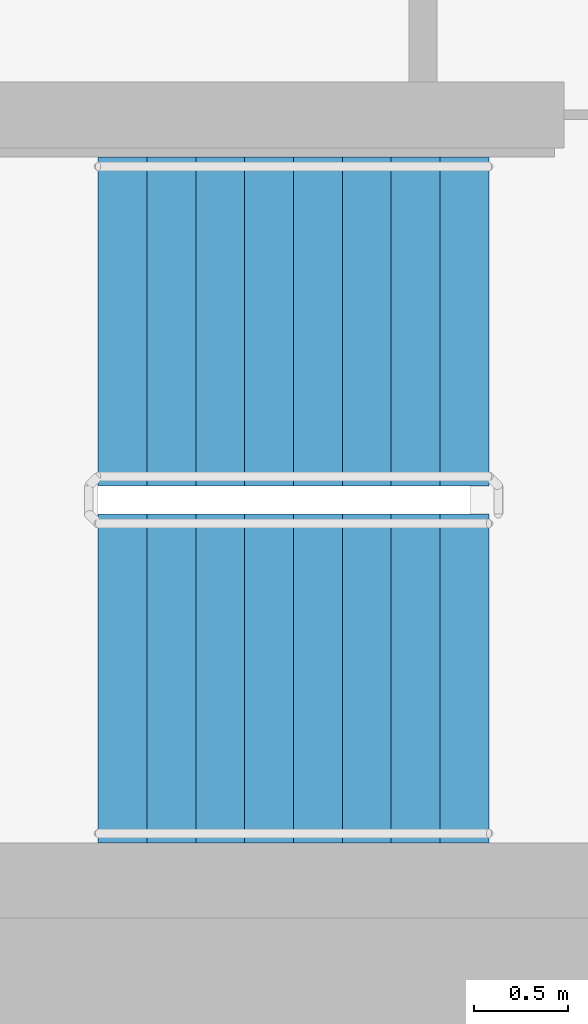
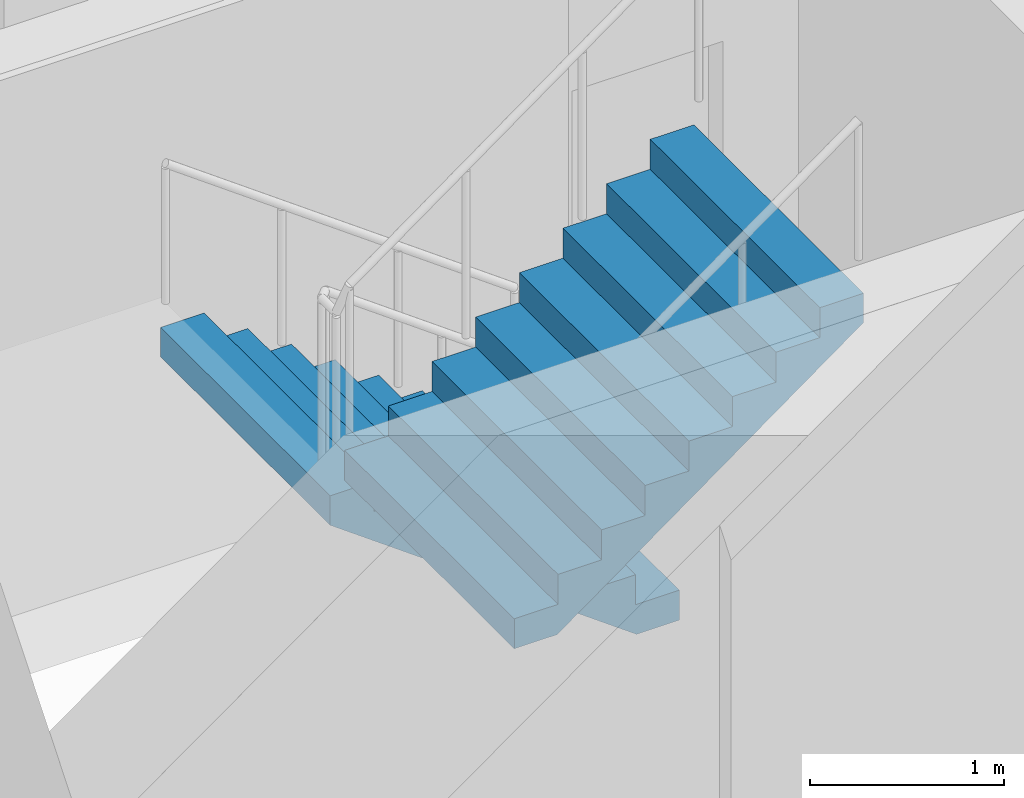
# One storey, part 12 of 18: 2 stair flights, 1 element without a shape of its own.
"""IFC4 building model written with IfcOpenShell, lengths in metres."""

from ifc_helpers import new_model, si_unit, direction, frame, origin, place, context, subcontext, project, spatial, faceted_brep, material, type_object, element, aggregate, save


model = new_model("IFC4")

# Units and contexts
model_context = context("Model", 3, precision=1e-05, world=origin(), true_north=direction((0.0, 1.0)))
body_context = subcontext(model_context, "Body", "Model", "MODEL_VIEW")
ifc_project = project(units=[si_unit("LENGTHUNIT", "METRE"), si_unit("AREAUNIT", "SQUARE_METRE"), si_unit("VOLUMEUNIT", "CUBIC_METRE"), si_unit("PLANEANGLEUNIT", "RADIAN"), si_unit("MASSUNIT", "GRAM", prefix="KILO")], contexts=[model_context])

# Site, building, storey
site_placement = place(None, origin())
site = spatial("IfcSite", under=ifc_project, at=site_placement, CompositionType="ELEMENT")
building_placement = place(site_placement, origin())
building = spatial("IfcBuilding", under=site, at=building_placement, Name="Ipe Terrace Towers", CompositionType="ELEMENT")
storey_placement = place(building_placement, frame((0.0, 0.0, 150.699951171875)))
storey = spatial("IfcBuildingStorey", under=building, at=storey_placement, Name="L41", CompositionType="ELEMENT", Elevation=150.699951171875)

# Stair, stair flights
ifc_material_1 = material(Name="Concrete C30/37", Category="concrete")
stair_type = type_object("IfcStairType", Name="Protected exit stair", PredefinedType="HALF_TURN_STAIR", material=ifc_material_1)
stair_placement = place(storey_placement, origin())
stair = element("IfcStair", 1, at=stair_placement, inside=storey, type_object=stair_type, Name="L41 Exit stair T1-C2", PredefinedType="HALF_TURN_STAIR")
ifc_material_2 = material(Name="Concrete C30/37", Category="concrete")
stair_flight_type = type_object("IfcStairFlightType", Name="Exit stair flight 1750", PredefinedType="STRAIGHT", material=ifc_material_2)
stair_flight_1_placement = place(storey_placement, frame((-45.699951171875, -2.77490234375, 0.0), z_axis=(0.0, 0.0, 1.0), x_axis=(-1.0, 0.0, 0.0)))
stair_flight_1 = element("IfcStairFlight", 2, at=stair_flight_1_placement, type_object=stair_flight_type, Name="T1-ST2 flight 1", NumberOfRisers=9, NumberOfTreads=8, PredefinedType="STRAIGHT", RiserHeight=0.188888889, TreadLength=0.26, context=body_context, shape_type="Brep", body=[
    faceted_brep([(0.255126953125, -0.875, 0.0), (2.080078125, -0.875, 1.325927734375), (2.080078125, -0.875, 1.51123046875), (1.820068359375, -0.875, 1.51123046875), (1.820068359375, -0.875, 1.322265625), (1.56005859375, -0.875, 1.322265625), (1.56005859375, -0.875, 1.13330078125), (1.300048828125, -0.875, 1.13330078125), (1.300048828125, -0.875, 0.9443359375), (1.0400390625, -0.875, 0.9443359375), (1.0400390625, -0.875, 0.755615234375), (0.780029296875, -0.875, 0.755615234375), (0.780029296875, -0.875, 0.566650390625), (0.52001953125, -0.875, 0.566650390625), (0.52001953125, -0.875, 0.377685546875), (0.260009765625, -0.875, 0.377685546875), (0.260009765625, -0.875, 0.18896484375), (0.0, -0.875, 0.18896484375), (0.0, -0.875, 0.0), (0.0, 0.875, 0.0), (0.0, 0.875, 0.18896484375), (0.260009765625, 0.875, 0.18896484375), (0.260009765625, 0.875, 0.377685546875), (0.52001953125, 0.875, 0.377685546875), (0.52001953125, 0.875, 0.566650390625), (0.780029296875, 0.875, 0.566650390625), (0.780029296875, 0.875, 0.755615234375), (1.0400390625, 0.875, 0.755615234375), (1.0400390625, 0.875, 0.9443359375), (1.300048828125, 0.875, 0.9443359375), (1.300048828125, 0.875, 1.13330078125), (1.56005859375, 0.875, 1.13330078125), (1.56005859375, 0.875, 1.322265625), (1.820068359375, 0.875, 1.322265625), (1.820068359375, 0.875, 1.51123046875), (2.080078125, 0.875, 1.51123046875), (2.080078125, 0.875, 1.325927734375), (0.255126953125, 0.875, 0.0), (0.0, -0.300048828125, 0.18896484375), (0.0, -0.1201171875, 0.18896484375), (0.0, -0.06005859375, 0.18896484375), (0.0, -0.030029296875, 0.18896484375), (0.0, -0.010009765625, 0.18896484375), (0.0, 0.0, 0.18896484375), (0.0, 0.010009765625, 0.18896484375), (0.0, 0.030029296875, 0.18896484375), (0.0, 0.06005859375, 0.18896484375), (0.0, 0.1201171875, 0.18896484375), (0.0, 0.300048828125, 0.18896484375), (0.0, 0.300048828125, 0.0), (0.0, 0.1201171875, 0.0), (0.0, 0.06005859375, 0.0), (0.0, 0.030029296875, 0.0), (0.0, 0.010009765625, 0.0), (0.0, 0.0, 0.0), (0.0, -0.010009765625, 0.0), (0.0, -0.030029296875, 0.0), (0.0, -0.06005859375, 0.0), (0.0, -0.1201171875, 0.0), (0.0, -0.300048828125, 0.0), (0.260009765625, -0.300048828125, 0.18896484375), (0.260009765625, -0.1201171875, 0.18896484375), (0.260009765625, -0.06005859375, 0.18896484375), (0.260009765625, -0.030029296875, 0.18896484375), (0.260009765625, -0.010009765625, 0.18896484375), (0.260009765625, 0.0, 0.18896484375), (0.260009765625, 0.010009765625, 0.18896484375), (0.260009765625, 0.030029296875, 0.18896484375), (0.260009765625, 0.06005859375, 0.18896484375), (0.260009765625, 0.1201171875, 0.18896484375), (0.260009765625, 0.300048828125, 0.18896484375), (0.260009765625, -0.300048828125, 0.377685546875), (0.260009765625, -0.1201171875, 0.377685546875), (0.260009765625, -0.06005859375, 0.377685546875), (0.260009765625, -0.030029296875, 0.377685546875), (0.260009765625, -0.010009765625, 0.377685546875), (0.260009765625, 0.0, 0.377685546875), (0.260009765625, 0.010009765625, 0.377685546875), (0.260009765625, 0.030029296875, 0.377685546875), (0.260009765625, 0.06005859375, 0.377685546875), (0.260009765625, 0.1201171875, 0.377685546875), (0.260009765625, 0.300048828125, 0.377685546875), (0.52001953125, -0.300048828125, 0.377685546875), (0.52001953125, -0.1201171875, 0.377685546875), (0.52001953125, -0.06005859375, 0.377685546875), (0.52001953125, -0.030029296875, 0.377685546875), (0.52001953125, -0.010009765625, 0.377685546875), (0.52001953125, 0.0, 0.377685546875), (0.52001953125, 0.010009765625, 0.377685546875), (0.52001953125, 0.030029296875, 0.377685546875), (0.52001953125, 0.06005859375, 0.377685546875), (0.52001953125, 0.1201171875, 0.377685546875), (0.52001953125, 0.300048828125, 0.377685546875), (0.52001953125, -0.300048828125, 0.566650390625), (0.52001953125, -0.1201171875, 0.566650390625), (0.52001953125, -0.06005859375, 0.566650390625), (0.52001953125, -0.030029296875, 0.566650390625), (0.52001953125, -0.010009765625, 0.566650390625), (0.52001953125, 0.0, 0.566650390625), (0.52001953125, 0.010009765625, 0.566650390625), (0.52001953125, 0.030029296875, 0.566650390625), (0.52001953125, 0.06005859375, 0.566650390625), (0.52001953125, 0.1201171875, 0.566650390625), (0.52001953125, 0.300048828125, 0.566650390625), (0.780029296875, -0.300048828125, 0.566650390625), (0.780029296875, -0.1201171875, 0.566650390625), (0.780029296875, -0.06005859375, 0.566650390625), (0.780029296875, -0.030029296875, 0.566650390625), (0.780029296875, -0.010009765625, 0.566650390625), (0.780029296875, 0.0, 0.566650390625), (0.780029296875, 0.010009765625, 0.566650390625), (0.780029296875, 0.030029296875, 0.566650390625), (0.780029296875, 0.06005859375, 0.566650390625), (0.780029296875, 0.1201171875, 0.566650390625), (0.780029296875, 0.300048828125, 0.566650390625), (0.780029296875, -0.300048828125, 0.755615234375), (0.780029296875, -0.1201171875, 0.755615234375), (0.780029296875, -0.06005859375, 0.755615234375), (0.780029296875, -0.030029296875, 0.755615234375), (0.780029296875, -0.010009765625, 0.755615234375), (0.780029296875, 0.0, 0.755615234375), (0.780029296875, 0.010009765625, 0.755615234375), (0.780029296875, 0.030029296875, 0.755615234375), (0.780029296875, 0.06005859375, 0.755615234375), (0.780029296875, 0.1201171875, 0.755615234375), (0.780029296875, 0.300048828125, 0.755615234375), (1.0400390625, -0.300048828125, 0.755615234375), (1.0400390625, -0.1201171875, 0.755615234375), (1.0400390625, -0.06005859375, 0.755615234375), (1.0400390625, -0.030029296875, 0.755615234375), (1.0400390625, -0.010009765625, 0.755615234375), (1.0400390625, 0.0, 0.755615234375), (1.0400390625, 0.010009765625, 0.755615234375), (1.0400390625, 0.030029296875, 0.755615234375), (1.0400390625, 0.06005859375, 0.755615234375), (1.0400390625, 0.1201171875, 0.755615234375), (1.0400390625, 0.300048828125, 0.755615234375), (1.0400390625, -0.300048828125, 0.9443359375), (1.0400390625, -0.1201171875, 0.9443359375), (1.0400390625, -0.06005859375, 0.9443359375), (1.0400390625, -0.030029296875, 0.9443359375), (1.0400390625, -0.010009765625, 0.9443359375), (1.0400390625, 0.0, 0.9443359375), (1.0400390625, 0.010009765625, 0.9443359375), (1.0400390625, 0.030029296875, 0.9443359375), (1.0400390625, 0.06005859375, 0.9443359375), (1.0400390625, 0.1201171875, 0.9443359375), (1.0400390625, 0.300048828125, 0.9443359375), (1.300048828125, -0.300048828125, 0.9443359375), (1.300048828125, -0.1201171875, 0.9443359375), (1.300048828125, -0.06005859375, 0.9443359375), (1.300048828125, -0.030029296875, 0.9443359375), (1.300048828125, -0.010009765625, 0.9443359375), (1.300048828125, 0.0, 0.9443359375), (1.300048828125, 0.010009765625, 0.9443359375), (1.300048828125, 0.030029296875, 0.9443359375), (1.300048828125, 0.06005859375, 0.9443359375), (1.300048828125, 0.1201171875, 0.9443359375), (1.300048828125, 0.300048828125, 0.9443359375), (1.300048828125, -0.300048828125, 1.13330078125), (1.300048828125, -0.1201171875, 1.13330078125), (1.300048828125, -0.06005859375, 1.13330078125), (1.300048828125, -0.030029296875, 1.13330078125), (1.300048828125, -0.010009765625, 1.13330078125), (1.300048828125, 0.0, 1.13330078125), (1.300048828125, 0.010009765625, 1.13330078125), (1.300048828125, 0.030029296875, 1.13330078125), (1.300048828125, 0.06005859375, 1.13330078125), (1.300048828125, 0.1201171875, 1.13330078125), (1.300048828125, 0.300048828125, 1.13330078125), (1.56005859375, -0.300048828125, 1.13330078125), (1.56005859375, -0.1201171875, 1.13330078125), (1.56005859375, -0.06005859375, 1.13330078125), (1.56005859375, -0.030029296875, 1.13330078125), (1.56005859375, -0.010009765625, 1.13330078125), (1.56005859375, 0.0, 1.13330078125), (1.56005859375, 0.010009765625, 1.13330078125), (1.56005859375, 0.030029296875, 1.13330078125), (1.56005859375, 0.06005859375, 1.13330078125), (1.56005859375, 0.1201171875, 1.13330078125), (1.56005859375, 0.300048828125, 1.13330078125), (1.56005859375, -0.300048828125, 1.322265625), (1.56005859375, -0.1201171875, 1.322265625), (1.56005859375, -0.06005859375, 1.322265625), (1.56005859375, -0.030029296875, 1.322265625), (1.56005859375, -0.010009765625, 1.322265625), (1.56005859375, 0.0, 1.322265625), (1.56005859375, 0.010009765625, 1.322265625), (1.56005859375, 0.030029296875, 1.322265625), (1.56005859375, 0.06005859375, 1.322265625), (1.56005859375, 0.1201171875, 1.322265625), (1.56005859375, 0.300048828125, 1.322265625), (1.820068359375, -0.300048828125, 1.322265625), (1.820068359375, -0.1201171875, 1.322265625), (1.820068359375, -0.06005859375, 1.322265625), (1.820068359375, -0.030029296875, 1.322265625), (1.820068359375, -0.010009765625, 1.322265625), (1.820068359375, 0.0, 1.322265625), (1.820068359375, 0.010009765625, 1.322265625), (1.820068359375, 0.030029296875, 1.322265625), (1.820068359375, 0.06005859375, 1.322265625), (1.820068359375, 0.1201171875, 1.322265625), (1.820068359375, 0.300048828125, 1.322265625), (1.820068359375, -0.300048828125, 1.51123046875), (1.820068359375, -0.1201171875, 1.51123046875), (1.820068359375, -0.06005859375, 1.51123046875), (1.820068359375, -0.030029296875, 1.51123046875), (1.820068359375, -0.010009765625, 1.51123046875), (1.820068359375, 0.0, 1.51123046875), (1.820068359375, 0.010009765625, 1.51123046875), (1.820068359375, 0.030029296875, 1.51123046875), (1.820068359375, 0.06005859375, 1.51123046875), (1.820068359375, 0.1201171875, 1.51123046875), (1.820068359375, 0.300048828125, 1.51123046875), (2.080078125, -0.300048828125, 1.51123046875), (2.080078125, -0.1201171875, 1.51123046875), (2.080078125, -0.06005859375, 1.51123046875), (2.080078125, -0.030029296875, 1.51123046875), (2.080078125, -0.010009765625, 1.51123046875), (2.080078125, 0.0, 1.51123046875), (2.080078125, 0.010009765625, 1.51123046875), (2.080078125, 0.030029296875, 1.51123046875), (2.080078125, 0.06005859375, 1.51123046875), (2.080078125, 0.1201171875, 1.51123046875), (2.080078125, 0.300048828125, 1.51123046875), (2.080078125, -0.300048828125, 1.325927734375), (2.080078125, -0.1201171875, 1.325927734375), (2.080078125, -0.06005859375, 1.325927734375), (2.080078125, -0.030029296875, 1.325927734375), (2.080078125, -0.010009765625, 1.325927734375), (2.080078125, 0.0, 1.325927734375), (2.080078125, 0.010009765625, 1.325927734375), (2.080078125, 0.030029296875, 1.325927734375), (2.080078125, 0.06005859375, 1.325927734375), (2.080078125, 0.1201171875, 1.325927734375), (2.080078125, 0.300048828125, 1.325927734375), (0.255126953125, -0.300048828125, 0.0), (0.255126953125, -0.1201171875, 0.0), (0.255126953125, -0.06005859375, 0.0), (0.255126953125, -0.030029296875, 0.0), (0.255126953125, -0.010009765625, 0.0), (0.255126953125, 0.0, 0.0), (0.255126953125, 0.010009765625, 0.0), (0.255126953125, 0.030029296875, 0.0), (0.255126953125, 0.06005859375, 0.0), (0.255126953125, 0.1201171875, 0.0), (0.255126953125, 0.300048828125, 0.0)], [[[0, 1, 2, 3, 4, 5, 6, 7, 8, 9, 10, 11, 12, 13, 14, 15, 16, 17, 18]], [[19, 20, 21, 22, 23, 24, 25, 26, 27, 28, 29, 30, 31, 32, 33, 34, 35, 36, 37]], [[17, 38, 39, 40, 41, 42, 43, 44, 45, 46, 47, 48, 20, 19, 49, 50, 51, 52, 53, 54, 55, 56, 57, 58, 59, 18]], [[16, 60, 61, 62, 63, 64, 65, 66, 67, 68, 69, 70, 21, 20, 48, 47, 46, 45, 44, 43, 42, 41, 40, 39, 38, 17]], [[15, 71, 72, 73, 74, 75, 76, 77, 78, 79, 80, 81, 22, 21, 70, 69, 68, 67, 66, 65, 64, 63, 62, 61, 60, 16]], [[14, 82, 83, 84, 85, 86, 87, 88, 89, 90, 91, 92, 23, 22, 81, 80, 79, 78, 77, 76, 75, 74, 73, 72, 71, 15]], [[13, 93, 94, 95, 96, 97, 98, 99, 100, 101, 102, 103, 24, 23, 92, 91, 90, 89, 88, 87, 86, 85, 84, 83, 82, 14]], [[12, 104, 105, 106, 107, 108, 109, 110, 111, 112, 113, 114, 25, 24, 103, 102, 101, 100, 99, 98, 97, 96, 95, 94, 93, 13]], [[11, 115, 116, 117, 118, 119, 120, 121, 122, 123, 124, 125, 26, 25, 114, 113, 112, 111, 110, 109, 108, 107, 106, 105, 104, 12]], [[10, 126, 127, 128, 129, 130, 131, 132, 133, 134, 135, 136, 27, 26, 125, 124, 123, 122, 121, 120, 119, 118, 117, 116, 115, 11]], [[9, 137, 138, 139, 140, 141, 142, 143, 144, 145, 146, 147, 28, 27, 136, 135, 134, 133, 132, 131, 130, 129, 128, 127, 126, 10]], [[8, 148, 149, 150, 151, 152, 153, 154, 155, 156, 157, 158, 29, 28, 147, 146, 145, 144, 143, 142, 141, 140, 139, 138, 137, 9]], [[7, 159, 160, 161, 162, 163, 164, 165, 166, 167, 168, 169, 30, 29, 158, 157, 156, 155, 154, 153, 152, 151, 150, 149, 148, 8]], [[6, 170, 171, 172, 173, 174, 175, 176, 177, 178, 179, 180, 31, 30, 169, 168, 167, 166, 165, 164, 163, 162, 161, 160, 159, 7]], [[5, 181, 182, 183, 184, 185, 186, 187, 188, 189, 190, 191, 32, 31, 180, 179, 178, 177, 176, 175, 174, 173, 172, 171, 170, 6]], [[4, 192, 193, 194, 195, 196, 197, 198, 199, 200, 201, 202, 33, 32, 191, 190, 189, 188, 187, 186, 185, 184, 183, 182, 181, 5]], [[3, 203, 204, 205, 206, 207, 208, 209, 210, 211, 212, 213, 34, 33, 202, 201, 200, 199, 198, 197, 196, 195, 194, 193, 192, 4]], [[2, 214, 215, 216, 217, 218, 219, 220, 221, 222, 223, 224, 35, 34, 213, 212, 211, 210, 209, 208, 207, 206, 205, 204, 203, 3]], [[1, 225, 226, 227, 228, 229, 230, 231, 232, 233, 234, 235, 36, 35, 224, 223, 222, 221, 220, 219, 218, 217, 216, 215, 214, 2]], [[0, 236, 237, 238, 239, 240, 241, 242, 243, 244, 245, 246, 37, 36, 235, 234, 233, 232, 231, 230, 229, 228, 227, 226, 225, 1]], [[18, 59, 58, 57, 56, 55, 54, 53, 52, 51, 50, 49, 19, 37, 246, 245, 244, 243, 242, 241, 240, 239, 238, 237, 236, 0]]]),
])
stair_flight_2_placement = place(storey_placement, frame((-47.780029296875, -4.675048828125, 1.699951171875), z_axis=(0.0, 0.0, 1.0), x_axis=(1.0, 0.0, 0.0)))
stair_flight_2 = element("IfcStairFlight", 3, at=stair_flight_2_placement, type_object=stair_flight_type, Name="T1-ST2 flight 2", NumberOfRisers=9, NumberOfTreads=8, PredefinedType="STRAIGHT", RiserHeight=0.188888889, TreadLength=0.26, context=body_context, shape_type="Brep", body=[
    faceted_brep([(0.255126953125, -0.875, 0.0), (2.080078125, -0.875, 1.325927734375), (2.080078125, -0.875, 1.51123046875), (1.820068359375, -0.875, 1.51123046875), (1.820068359375, -0.875, 1.322265625), (1.56005859375, -0.875, 1.322265625), (1.56005859375, -0.875, 1.13330078125), (1.300048828125, -0.875, 1.13330078125), (1.300048828125, -0.875, 0.9443359375), (1.0400390625, -0.875, 0.9443359375), (1.0400390625, -0.875, 0.755615234375), (0.780029296875, -0.875, 0.755615234375), (0.780029296875, -0.875, 0.566650390625), (0.52001953125, -0.875, 0.566650390625), (0.52001953125, -0.875, 0.377685546875), (0.260009765625, -0.875, 0.377685546875), (0.260009765625, -0.875, 0.18896484375), (0.0, -0.875, 0.18896484375), (0.0, -0.875, 0.0), (0.0, 0.875, 0.0), (0.0, 0.875, 0.18896484375), (0.260009765625, 0.875, 0.18896484375), (0.260009765625, 0.875, 0.377685546875), (0.52001953125, 0.875, 0.377685546875), (0.52001953125, 0.875, 0.566650390625), (0.780029296875, 0.875, 0.566650390625), (0.780029296875, 0.875, 0.755615234375), (1.0400390625, 0.875, 0.755615234375), (1.0400390625, 0.875, 0.9443359375), (1.300048828125, 0.875, 0.9443359375), (1.300048828125, 0.875, 1.13330078125), (1.56005859375, 0.875, 1.13330078125), (1.56005859375, 0.875, 1.322265625), (1.820068359375, 0.875, 1.322265625), (1.820068359375, 0.875, 1.51123046875), (2.080078125, 0.875, 1.51123046875), (2.080078125, 0.875, 1.325927734375), (0.255126953125, 0.875, 0.0), (0.0, -0.300048828125, 0.18896484375), (0.0, -0.1201171875, 0.18896484375), (0.0, -0.06005859375, 0.18896484375), (0.0, -0.030029296875, 0.18896484375), (0.0, -0.010009765625, 0.18896484375), (0.0, 0.0, 0.18896484375), (0.0, 0.010009765625, 0.18896484375), (0.0, 0.030029296875, 0.18896484375), (0.0, 0.06005859375, 0.18896484375), (0.0, 0.1201171875, 0.18896484375), (0.0, 0.300048828125, 0.18896484375), (0.0, 0.300048828125, 0.0), (0.0, 0.1201171875, 0.0), (0.0, 0.06005859375, 0.0), (0.0, 0.030029296875, 0.0), (0.0, 0.010009765625, 0.0), (0.0, 0.0, 0.0), (0.0, -0.010009765625, 0.0), (0.0, -0.030029296875, 0.0), (0.0, -0.06005859375, 0.0), (0.0, -0.1201171875, 0.0), (0.0, -0.300048828125, 0.0), (0.260009765625, -0.300048828125, 0.18896484375), (0.260009765625, -0.1201171875, 0.18896484375), (0.260009765625, -0.06005859375, 0.18896484375), (0.260009765625, -0.030029296875, 0.18896484375), (0.260009765625, -0.010009765625, 0.18896484375), (0.260009765625, 0.0, 0.18896484375), (0.260009765625, 0.010009765625, 0.18896484375), (0.260009765625, 0.030029296875, 0.18896484375), (0.260009765625, 0.06005859375, 0.18896484375), (0.260009765625, 0.1201171875, 0.18896484375), (0.260009765625, 0.300048828125, 0.18896484375), (0.260009765625, -0.300048828125, 0.377685546875), (0.260009765625, -0.1201171875, 0.377685546875), (0.260009765625, -0.06005859375, 0.377685546875), (0.260009765625, -0.030029296875, 0.377685546875), (0.260009765625, -0.010009765625, 0.377685546875), (0.260009765625, 0.0, 0.377685546875), (0.260009765625, 0.010009765625, 0.377685546875), (0.260009765625, 0.030029296875, 0.377685546875), (0.260009765625, 0.06005859375, 0.377685546875), (0.260009765625, 0.1201171875, 0.377685546875), (0.260009765625, 0.300048828125, 0.377685546875), (0.52001953125, -0.300048828125, 0.377685546875), (0.52001953125, -0.1201171875, 0.377685546875), (0.52001953125, -0.06005859375, 0.377685546875), (0.52001953125, -0.030029296875, 0.377685546875), (0.52001953125, -0.010009765625, 0.377685546875), (0.52001953125, 0.0, 0.377685546875), (0.52001953125, 0.010009765625, 0.377685546875), (0.52001953125, 0.030029296875, 0.377685546875), (0.52001953125, 0.06005859375, 0.377685546875), (0.52001953125, 0.1201171875, 0.377685546875), (0.52001953125, 0.300048828125, 0.377685546875), (0.52001953125, -0.300048828125, 0.566650390625), (0.52001953125, -0.1201171875, 0.566650390625), (0.52001953125, -0.06005859375, 0.566650390625), (0.52001953125, -0.030029296875, 0.566650390625), (0.52001953125, -0.010009765625, 0.566650390625), (0.52001953125, 0.0, 0.566650390625), (0.52001953125, 0.010009765625, 0.566650390625), (0.52001953125, 0.030029296875, 0.566650390625), (0.52001953125, 0.06005859375, 0.566650390625), (0.52001953125, 0.1201171875, 0.566650390625), (0.52001953125, 0.300048828125, 0.566650390625), (0.780029296875, -0.300048828125, 0.566650390625), (0.780029296875, -0.1201171875, 0.566650390625), (0.780029296875, -0.06005859375, 0.566650390625), (0.780029296875, -0.030029296875, 0.566650390625), (0.780029296875, -0.010009765625, 0.566650390625), (0.780029296875, 0.0, 0.566650390625), (0.780029296875, 0.010009765625, 0.566650390625), (0.780029296875, 0.030029296875, 0.566650390625), (0.780029296875, 0.06005859375, 0.566650390625), (0.780029296875, 0.1201171875, 0.566650390625), (0.780029296875, 0.300048828125, 0.566650390625), (0.780029296875, -0.300048828125, 0.755615234375), (0.780029296875, -0.1201171875, 0.755615234375), (0.780029296875, -0.06005859375, 0.755615234375), (0.780029296875, -0.030029296875, 0.755615234375), (0.780029296875, -0.010009765625, 0.755615234375), (0.780029296875, 0.0, 0.755615234375), (0.780029296875, 0.010009765625, 0.755615234375), (0.780029296875, 0.030029296875, 0.755615234375), (0.780029296875, 0.06005859375, 0.755615234375), (0.780029296875, 0.1201171875, 0.755615234375), (0.780029296875, 0.300048828125, 0.755615234375), (1.0400390625, -0.300048828125, 0.755615234375), (1.0400390625, -0.1201171875, 0.755615234375), (1.0400390625, -0.06005859375, 0.755615234375), (1.0400390625, -0.030029296875, 0.755615234375), (1.0400390625, -0.010009765625, 0.755615234375), (1.0400390625, 0.0, 0.755615234375), (1.0400390625, 0.010009765625, 0.755615234375), (1.0400390625, 0.030029296875, 0.755615234375), (1.0400390625, 0.06005859375, 0.755615234375), (1.0400390625, 0.1201171875, 0.755615234375), (1.0400390625, 0.300048828125, 0.755615234375), (1.0400390625, -0.300048828125, 0.9443359375), (1.0400390625, -0.1201171875, 0.9443359375), (1.0400390625, -0.06005859375, 0.9443359375), (1.0400390625, -0.030029296875, 0.9443359375), (1.0400390625, -0.010009765625, 0.9443359375), (1.0400390625, 0.0, 0.9443359375), (1.0400390625, 0.010009765625, 0.9443359375), (1.0400390625, 0.030029296875, 0.9443359375), (1.0400390625, 0.06005859375, 0.9443359375), (1.0400390625, 0.1201171875, 0.9443359375), (1.0400390625, 0.300048828125, 0.9443359375), (1.300048828125, -0.300048828125, 0.9443359375), (1.300048828125, -0.1201171875, 0.9443359375), (1.300048828125, -0.06005859375, 0.9443359375), (1.300048828125, -0.030029296875, 0.9443359375), (1.300048828125, -0.010009765625, 0.9443359375), (1.300048828125, 0.0, 0.9443359375), (1.300048828125, 0.010009765625, 0.9443359375), (1.300048828125, 0.030029296875, 0.9443359375), (1.300048828125, 0.06005859375, 0.9443359375), (1.300048828125, 0.1201171875, 0.9443359375), (1.300048828125, 0.300048828125, 0.9443359375), (1.300048828125, -0.300048828125, 1.13330078125), (1.300048828125, -0.1201171875, 1.13330078125), (1.300048828125, -0.06005859375, 1.13330078125), (1.300048828125, -0.030029296875, 1.13330078125), (1.300048828125, -0.010009765625, 1.13330078125), (1.300048828125, 0.0, 1.13330078125), (1.300048828125, 0.010009765625, 1.13330078125), (1.300048828125, 0.030029296875, 1.13330078125), (1.300048828125, 0.06005859375, 1.13330078125), (1.300048828125, 0.1201171875, 1.13330078125), (1.300048828125, 0.300048828125, 1.13330078125), (1.56005859375, -0.300048828125, 1.13330078125), (1.56005859375, -0.1201171875, 1.13330078125), (1.56005859375, -0.06005859375, 1.13330078125), (1.56005859375, -0.030029296875, 1.13330078125), (1.56005859375, -0.010009765625, 1.13330078125), (1.56005859375, 0.0, 1.13330078125), (1.56005859375, 0.010009765625, 1.13330078125), (1.56005859375, 0.030029296875, 1.13330078125), (1.56005859375, 0.06005859375, 1.13330078125), (1.56005859375, 0.1201171875, 1.13330078125), (1.56005859375, 0.300048828125, 1.13330078125), (1.56005859375, -0.300048828125, 1.322265625), (1.56005859375, -0.1201171875, 1.322265625), (1.56005859375, -0.06005859375, 1.322265625), (1.56005859375, -0.030029296875, 1.322265625), (1.56005859375, -0.010009765625, 1.322265625), (1.56005859375, 0.0, 1.322265625), (1.56005859375, 0.010009765625, 1.322265625), (1.56005859375, 0.030029296875, 1.322265625), (1.56005859375, 0.06005859375, 1.322265625), (1.56005859375, 0.1201171875, 1.322265625), (1.56005859375, 0.300048828125, 1.322265625), (1.820068359375, -0.300048828125, 1.322265625), (1.820068359375, -0.1201171875, 1.322265625), (1.820068359375, -0.06005859375, 1.322265625), (1.820068359375, -0.030029296875, 1.322265625), (1.820068359375, -0.010009765625, 1.322265625), (1.820068359375, 0.0, 1.322265625), (1.820068359375, 0.010009765625, 1.322265625), (1.820068359375, 0.030029296875, 1.322265625), (1.820068359375, 0.06005859375, 1.322265625), (1.820068359375, 0.1201171875, 1.322265625), (1.820068359375, 0.300048828125, 1.322265625), (1.820068359375, -0.300048828125, 1.51123046875), (1.820068359375, -0.1201171875, 1.51123046875), (1.820068359375, -0.06005859375, 1.51123046875), (1.820068359375, -0.030029296875, 1.51123046875), (1.820068359375, -0.010009765625, 1.51123046875), (1.820068359375, 0.0, 1.51123046875), (1.820068359375, 0.010009765625, 1.51123046875), (1.820068359375, 0.030029296875, 1.51123046875), (1.820068359375, 0.06005859375, 1.51123046875), (1.820068359375, 0.1201171875, 1.51123046875), (1.820068359375, 0.300048828125, 1.51123046875), (2.080078125, -0.300048828125, 1.51123046875), (2.080078125, -0.1201171875, 1.51123046875), (2.080078125, -0.06005859375, 1.51123046875), (2.080078125, -0.030029296875, 1.51123046875), (2.080078125, -0.010009765625, 1.51123046875), (2.080078125, 0.0, 1.51123046875), (2.080078125, 0.010009765625, 1.51123046875), (2.080078125, 0.030029296875, 1.51123046875), (2.080078125, 0.06005859375, 1.51123046875), (2.080078125, 0.1201171875, 1.51123046875), (2.080078125, 0.300048828125, 1.51123046875), (2.080078125, -0.300048828125, 1.325927734375), (2.080078125, -0.1201171875, 1.325927734375), (2.080078125, -0.06005859375, 1.325927734375), (2.080078125, -0.030029296875, 1.325927734375), (2.080078125, -0.010009765625, 1.325927734375), (2.080078125, 0.0, 1.325927734375), (2.080078125, 0.010009765625, 1.325927734375), (2.080078125, 0.030029296875, 1.325927734375), (2.080078125, 0.06005859375, 1.325927734375), (2.080078125, 0.1201171875, 1.325927734375), (2.080078125, 0.300048828125, 1.325927734375), (0.255126953125, -0.300048828125, 0.0), (0.255126953125, -0.1201171875, 0.0), (0.255126953125, -0.06005859375, 0.0), (0.255126953125, -0.030029296875, 0.0), (0.255126953125, -0.010009765625, 0.0), (0.255126953125, 0.0, 0.0), (0.255126953125, 0.010009765625, 0.0), (0.255126953125, 0.030029296875, 0.0), (0.255126953125, 0.06005859375, 0.0), (0.255126953125, 0.1201171875, 0.0), (0.255126953125, 0.300048828125, 0.0)], [[[0, 1, 2, 3, 4, 5, 6, 7, 8, 9, 10, 11, 12, 13, 14, 15, 16, 17, 18]], [[19, 20, 21, 22, 23, 24, 25, 26, 27, 28, 29, 30, 31, 32, 33, 34, 35, 36, 37]], [[17, 38, 39, 40, 41, 42, 43, 44, 45, 46, 47, 48, 20, 19, 49, 50, 51, 52, 53, 54, 55, 56, 57, 58, 59, 18]], [[16, 60, 61, 62, 63, 64, 65, 66, 67, 68, 69, 70, 21, 20, 48, 47, 46, 45, 44, 43, 42, 41, 40, 39, 38, 17]], [[15, 71, 72, 73, 74, 75, 76, 77, 78, 79, 80, 81, 22, 21, 70, 69, 68, 67, 66, 65, 64, 63, 62, 61, 60, 16]], [[14, 82, 83, 84, 85, 86, 87, 88, 89, 90, 91, 92, 23, 22, 81, 80, 79, 78, 77, 76, 75, 74, 73, 72, 71, 15]], [[13, 93, 94, 95, 96, 97, 98, 99, 100, 101, 102, 103, 24, 23, 92, 91, 90, 89, 88, 87, 86, 85, 84, 83, 82, 14]], [[12, 104, 105, 106, 107, 108, 109, 110, 111, 112, 113, 114, 25, 24, 103, 102, 101, 100, 99, 98, 97, 96, 95, 94, 93, 13]], [[11, 115, 116, 117, 118, 119, 120, 121, 122, 123, 124, 125, 26, 25, 114, 113, 112, 111, 110, 109, 108, 107, 106, 105, 104, 12]], [[10, 126, 127, 128, 129, 130, 131, 132, 133, 134, 135, 136, 27, 26, 125, 124, 123, 122, 121, 120, 119, 118, 117, 116, 115, 11]], [[9, 137, 138, 139, 140, 141, 142, 143, 144, 145, 146, 147, 28, 27, 136, 135, 134, 133, 132, 131, 130, 129, 128, 127, 126, 10]], [[8, 148, 149, 150, 151, 152, 153, 154, 155, 156, 157, 158, 29, 28, 147, 146, 145, 144, 143, 142, 141, 140, 139, 138, 137, 9]], [[7, 159, 160, 161, 162, 163, 164, 165, 166, 167, 168, 169, 30, 29, 158, 157, 156, 155, 154, 153, 152, 151, 150, 149, 148, 8]], [[6, 170, 171, 172, 173, 174, 175, 176, 177, 178, 179, 180, 31, 30, 169, 168, 167, 166, 165, 164, 163, 162, 161, 160, 159, 7]], [[5, 181, 182, 183, 184, 185, 186, 187, 188, 189, 190, 191, 32, 31, 180, 179, 178, 177, 176, 175, 174, 173, 172, 171, 170, 6]], [[4, 192, 193, 194, 195, 196, 197, 198, 199, 200, 201, 202, 33, 32, 191, 190, 189, 188, 187, 186, 185, 184, 183, 182, 181, 5]], [[3, 203, 204, 205, 206, 207, 208, 209, 210, 211, 212, 213, 34, 33, 202, 201, 200, 199, 198, 197, 196, 195, 194, 193, 192, 4]], [[2, 214, 215, 216, 217, 218, 219, 220, 221, 222, 223, 224, 35, 34, 213, 212, 211, 210, 209, 208, 207, 206, 205, 204, 203, 3]], [[1, 225, 226, 227, 228, 229, 230, 231, 232, 233, 234, 235, 36, 35, 224, 223, 222, 221, 220, 219, 218, 217, 216, 215, 214, 2]], [[0, 236, 237, 238, 239, 240, 241, 242, 243, 244, 245, 246, 37, 36, 235, 234, 233, 232, 231, 230, 229, 228, 227, 226, 225, 1]], [[18, 59, 58, 57, 56, 55, 54, 53, 52, 51, 50, 49, 19, 37, 246, 245, 244, 243, 242, 241, 240, 239, 238, 237, 236, 0]]]),
])
aggregate(stair, [stair_flight_1, stair_flight_2])

save(model, "model.ifc")
